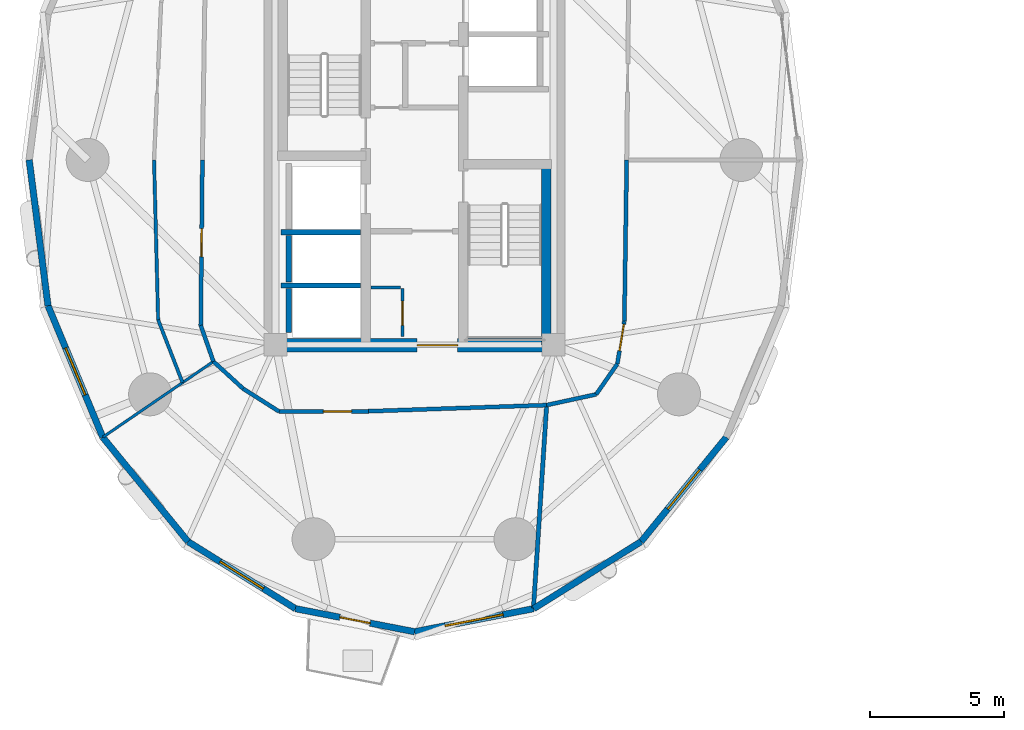
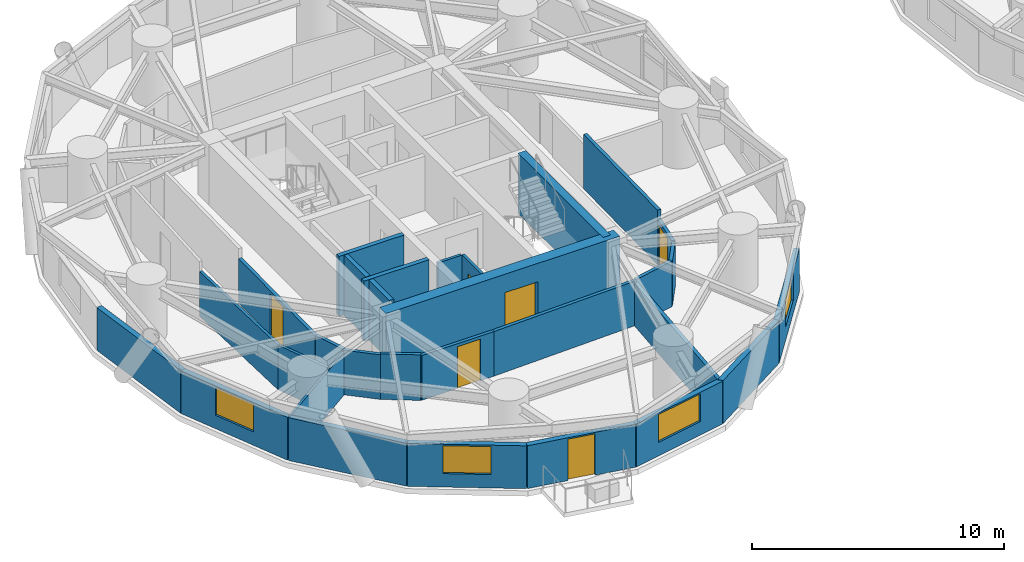
# One storey, part 7 of 15: 30 walls, 6 doors, 4 windows, 10 openings.
"""IFC4 building model written with IfcOpenShell, lengths in metres."""

from ifc_helpers import new_model, si_unit, direction, frame, frame_2d, origin, place, context, subcontext, project, spatial, rectangle, extrude, source, transform, mapped, material, layer, layer_set, type_object, element, fill, save


model = new_model("IFC4")

# Units and contexts
model_context = context("Model", 3, precision=1e-05, world=origin(), true_north=direction((0.0, 1.0)))
body_context = subcontext(model_context, "Body", "Model", "MODEL_VIEW")
ifc_project = project(units=[si_unit("LENGTHUNIT", "METRE"), si_unit("AREAUNIT", "SQUARE_METRE"), si_unit("VOLUMEUNIT", "CUBIC_METRE"), si_unit("PLANEANGLEUNIT", "RADIAN"), si_unit("MASSUNIT", "GRAM", prefix="KILO")], contexts=[model_context])

# Site, building, storey
site_placement = place(None, origin())
site = spatial("IfcSite", under=ifc_project, at=site_placement, CompositionType="ELEMENT")
building_placement = place(site_placement, origin())
building = spatial("IfcBuilding", under=site, at=building_placement, Name="Cununo Teusaquillo Station Towers", CompositionType="ELEMENT")
storey_placement = place(building_placement, frame((0.0, 0.0, 24.909912109375)))
storey = spatial("IfcBuildingStorey", under=building, at=storey_placement, Name="L06", CompositionType="ELEMENT", Elevation=24.909912109375)

# Walls
ifc_material_1 = material(Name="Concrete C50/60", Category="concrete")
ifc_layer_1 = layer(ifc_material_1, 0.199951171875)
ifc_layer_set_1 = layer_set([ifc_layer_1], Name="Concrete C50/60")
wall_type_1 = type_object("IfcWallType", Name="WL-CORE-200", PredefinedType="SHEAR", material=ifc_layer_set_1)
for number, where, z_axis, x_axis, name in (
    (1, (11.52001953125, 21.800048828125, 0.0), (0.0, 0.0, 1.0), (1.0, 0.0, 0.0), "L06 Tower A Firefighting Lift Shaft South Shear Wall"),
    (2, (11.52001953125, 19.824951171875, 0.0), (0.0, 0.0, 1.0), (1.0, 0.0, 0.0), "L06 Tower A High-Rise Lift Hoistway Divider Shear Wall"),
):
    element("IfcWall", number, at=place(storey_placement, frame(where, z_axis=z_axis, x_axis=x_axis)), inside=storey, type_object=wall_type_1, Name=name, PredefinedType="SHEAR", context=body_context, shape_type="SweptSolid", body=[
        extrude(rectangle(XDim=2.969970703125, YDim=0.199951171875, at=frame_2d((1.48486328125, 0.0))), origin(), (0.0, 0.0, 1.0), 2.91015625),
    ])
wall_1_placement = place(storey_placement, frame((11.820068359375, 19.945068359375, 0.0), z_axis=(0.0, 0.0, 1.0), x_axis=(0.0, 1.0, 0.0)))
element("IfcWall", 3, at=wall_1_placement, inside=storey, type_object=wall_type_1, Name="L06 Tower A High-Rise Lift 2 Shaft Rear Shear Wall", PredefinedType="SHEAR", context=body_context, shape_type="SweptSolid", body=[
    extrude(rectangle(XDim=1.73486328125, YDim=0.199951171875, at=frame_2d((0.867431640625, 0.0))), origin(), (0.0, 0.0, 1.0), 2.91015625),
])
wall_2_placement = place(storey_placement, frame((11.820068359375, 18.070068359375, 0.0), z_axis=(0.0, 0.0, 1.0), x_axis=(0.0, 1.0, 0.0)))
element("IfcWall", 4, at=wall_2_placement, inside=storey, type_object=wall_type_1, Name="L06 Tower A High-Rise Lift 1 Shaft Rear Shear Wall", PredefinedType="SHEAR", context=body_context, shape_type="SweptSolid", body=[
    extrude(rectangle(XDim=1.635009765625, YDim=0.199951171875, at=frame_2d((0.8173828125, 0.0))), origin(), (0.0, 0.0, 1.0), 2.91015625),
])
ifc_material_2 = material(Name="Concrete C50/60", Category="concrete")
ifc_layer_2 = layer(ifc_material_2, 0.35009765625)
ifc_layer_set_2 = layer_set([ifc_layer_2], Name="Concrete C50/60")
wall_type_2 = type_object("IfcWallType", Name="WL-CORE-350", PredefinedType="SHEAR", material=ifc_layer_set_2)
wall_3_placement = place(storey_placement, frame((21.405029296875, 17.60009765625, 0.0), z_axis=(0.0, 0.0, 1.0), x_axis=(0.0, 1.0, 0.0)))
element("IfcWall", 5, at=wall_3_placement, inside=storey, type_object=wall_type_2, Name="L06 Tower A Core Shear Wall ST2E", PredefinedType="SHEAR", context=body_context, shape_type="SweptSolid", body=[
    extrude(rectangle(XDim=6.744873046875, YDim=0.35009765625, at=frame_2d((3.37255859375, 0.0))), origin(), (0.0, 0.0, 1.0), 2.91015625),
])

# Wall, opening, door
ifc_material_3 = material(Name="Concrete C60/75", Category="concrete")
ifc_layer_3 = layer(ifc_material_3, 0.5)
ifc_layer_set_3 = layer_set([ifc_layer_3], Name="Concrete C60/75")
wall_type_3 = type_object("IfcWallType", Name="WL-CORE-500", PredefinedType="SHEAR", material=ifc_layer_set_3)
wall_4_placement = place(storey_placement, frame((11.14990234375, 17.60009765625, 0.0), z_axis=(0.0, 0.0, 1.0), x_axis=(1.0, 0.0, 0.0)))
wall_4 = element("IfcWall", 6, at=wall_4_placement, inside=storey, type_object=wall_type_3, Name="L06 Tower A Core Shear Wall S", PredefinedType="SHEAR", context=body_context, shape_type="SweptSolid", body=[
    extrude(rectangle(XDim=10.7001953125, YDim=0.5, at=frame_2d((5.35009765625, 0.0))), origin(), (0.0, 0.0, 1.0), 2.91015625),
])
shared_shape_1 = source(origin(), body_context, "Body", "SweptSolid", [
    extrude(rectangle(XDim=1.5, YDim=2.02001953125, at=frame_2d((0.75, 1.010009765625))), frame((0.0, 0.260009765625, 0.0), z_axis=(0.0, -1.0, 0.0), x_axis=(1.0, 0.0, 0.0)), (0.0, 0.0, 1.0), 0.52001953125),
])
opening_1_placement = place(wall_4_placement, frame((5.449951171875, 0.0, 0.0)))
opening_1 = element("IfcOpeningElement", 7, at=opening_1_placement, cuts=wall_4, Name="Opening D-LB1", PredefinedType="OPENING", context=body_context, shape_type="MappedRepresentation", body=[
    mapped(shared_shape_1, transform((0.0, 0.0, 0.0), x_axis=(1.0, 0.0, 0.0), y_axis=(0.0, 1.0, 0.0), z_axis=(0.0, 0.0, 1.0), scale=1.0)),
])
ifc_material_4 = material(Name="Galvanised fire-rated hollow steel door assembly", Category="steel")
door_type_1 = type_object("IfcDoorType", Name="DR-LOBBY-1500", OperationType="DOUBLE_DOOR_SINGLE_SWING", PredefinedType="DOOR", material=ifc_material_4)
shared_shape_2 = source(origin(), body_context, "Body", "SweptSolid", [
    extrude(rectangle(XDim=1.5, YDim=2.02001953125, at=frame_2d((0.75, 1.010009765625))), frame((0.0, 0.02490234375, 0.0), z_axis=(0.0, -1.0, 0.0), x_axis=(1.0, 0.0, 0.0)), (0.0, 0.0, 1.0), 0.050048828125),
])
door_1_placement = place(opening_1_placement, origin())
door_1 = element("IfcDoor", 8, at=door_1_placement, inside=storey, type_object=door_type_1, Name="L06 Tower A South Core Lift Lobby Door", OperationType="DOUBLE_DOOR_SINGLE_SWING", OverallHeight=2.02001953125, OverallWidth=1.5, PredefinedType="DOOR", context=body_context, shape_type="MappedRepresentation", body=[
    mapped(shared_shape_2, transform((0.0, 0.0, 0.0), x_axis=(1.0, 0.0, 0.0), y_axis=(0.0, 1.0, 0.0), z_axis=(0.0, 0.0, 1.0), scale=1.0)),
])
fill(opening_1, door_1)

# Wall
ifc_material_5 = material(Name="Precast concrete C40/50", Category="concrete")
ifc_layer_4 = layer(ifc_material_5, 0.239990234375)
ifc_layer_set_4 = layer_set([ifc_layer_4], Name="Precast concrete C40/50")
wall_type_4 = type_object("IfcWallType", Name="WL-EXT-240", PredefinedType="SOLIDWALL", material=ifc_layer_set_4)
wall_5_placement = place(storey_placement, frame((2.851318359375, 19.070556640625, 0.0), z_axis=(0.0, 0.0, 1.0), x_axis=(-0.128298189174, 0.991735637483, 0.0)))
element("IfcWall", 9, at=wall_5_placement, inside=storey, type_object=wall_type_4, Name="L06 Tower A Exterior Facade Wall C10", PredefinedType="SOLIDWALL", context=body_context, shape_type="SweptSolid", body=[
    extrude(rectangle(XDim=5.474609375, YDim=0.239990234375, at=frame_2d((2.7373046875, 0.0))), origin(), (0.0, 0.0, 1.0), 2.072998046875),
])

# Wall, opening, window
wall_6_placement = place(storey_placement, frame((4.889892578125, 14.172607421875, 0.0), z_axis=(0.0, 0.0, 1.0), x_axis=(-0.384255919668, 0.923226618009, 0.0)))
wall_6 = element("IfcWall", 10, at=wall_6_placement, inside=storey, type_object=wall_type_4, Name="L06 Tower A Exterior Facade Wall C11", PredefinedType="SOLIDWALL", context=body_context, shape_type="SweptSolid", body=[
    extrude(rectangle(XDim=5.30517578125, YDim=0.239990234375, at=frame_2d((2.652587890625, 0.0))), origin(), (0.0, 0.0, 1.0), 2.072998046875),
])
shared_shape_3 = source(origin(), body_context, "Body", "SweptSolid", [
    extrude(rectangle(XDim=1.89990234375, YDim=1.35009765625, at=frame_2d((0.949951171875, 0.675048828125))), frame((0.0, 0.1298828125, 0.0), z_axis=(0.0, -1.0, 0.0), x_axis=(1.0, 0.0, 0.0)), (0.0, 0.0, 1.0), 0.260009765625),
])
opening_2_placement = place(wall_6_placement, frame((1.702880859375, 0.0, 0.64990234375)))
opening_2 = element("IfcOpeningElement", 11, at=opening_2_placement, cuts=wall_6, Name="Opening WN-02", PredefinedType="OPENING", context=body_context, shape_type="MappedRepresentation", body=[
    mapped(shared_shape_3, transform((0.0, 0.0, 0.0), x_axis=(1.0, 0.0, 0.0), y_axis=(0.0, 1.0, 0.0), z_axis=(0.0, 0.0, 1.0), scale=1.0)),
])
ifc_material_6 = material(Name="Operable acoustic tinted low-E double glazing", Category="glass")
window_type_1 = type_object("IfcWindowType", Name="WIN-OPER-1900", PartitioningType="DOUBLE_PANEL_VERTICAL", PredefinedType="WINDOW", material=ifc_material_6)
shared_shape_4 = source(origin(), body_context, "Body", "SweptSolid", [
    extrude(rectangle(XDim=1.89990234375, YDim=1.35009765625, at=frame_2d((0.949951171875, 0.675048828125))), frame((0.0, 0.030029296875, 0.0), z_axis=(0.0, -1.0, 0.0), x_axis=(1.0, 0.0, 0.0)), (0.0, 0.0, 1.0), 0.06005859375),
])
window_1_placement = place(opening_2_placement, origin())
window_1 = element("IfcWindow", 12, at=window_1_placement, inside=storey, type_object=window_type_1, Name="L06 Tower A Facade Window C11", OverallHeight=1.35009765625, OverallWidth=1.89990234375, PartitioningType="DOUBLE_PANEL_VERTICAL", PredefinedType="WINDOW", context=body_context, shape_type="MappedRepresentation", body=[
    mapped(shared_shape_4, transform((0.0, 0.0, 0.0), x_axis=(1.0, 0.0, 0.0), y_axis=(0.0, 1.0, 0.0), z_axis=(0.0, 0.0, 1.0), scale=1.0)),
])
fill(opening_2, window_1)

# Wall
wall_7_placement = place(storey_placement, frame((8.064697265625, 10.28564453125, 0.0), z_axis=(0.0, 0.0, 1.0), x_axis=(-0.632588557044, 0.774488035735, 0.0)))
element("IfcWall", 13, at=wall_7_placement, inside=storey, type_object=wall_type_4, Name="L06 Tower A Exterior Facade Wall C12", PredefinedType="SOLIDWALL", context=body_context, shape_type="SweptSolid", body=[
    extrude(rectangle(XDim=5.018798828125, YDim=0.239990234375, at=frame_2d((2.50927734375, 0.0))), origin(), (0.0, 0.0, 1.0), 2.072998046875),
])

# Wall, opening, window
wall_8_placement = place(storey_placement, frame((12.065185546875, 7.789794921875, 0.0), z_axis=(0.0, 0.0, 1.0), x_axis=(-0.848422721916, 0.529319265601, 0.0)))
wall_8 = element("IfcWall", 14, at=wall_8_placement, inside=storey, type_object=wall_type_4, Name="L06 Tower A Exterior Facade Wall C13", PredefinedType="SOLIDWALL", context=body_context, shape_type="SweptSolid", body=[
    extrude(rectangle(XDim=4.715087890625, YDim=0.239990234375, at=frame_2d((2.357421875, 0.0))), origin(), (0.0, 0.0, 1.0), 2.072998046875),
])
opening_3_placement = place(wall_8_placement, frame((1.407958984375, 0.0, 0.64990234375)))
opening_3 = element("IfcOpeningElement", 15, at=opening_3_placement, cuts=wall_8, Name="Opening WN-02", PredefinedType="OPENING", context=body_context, shape_type="MappedRepresentation", body=[
    mapped(shared_shape_3, transform((0.0, 0.0, 0.0), x_axis=(1.0, 0.0, 0.0), y_axis=(0.0, 1.0, 0.0), z_axis=(0.0, 0.0, 1.0), scale=1.0)),
])
window_2_placement = place(opening_3_placement, origin())
window_2 = element("IfcWindow", 16, at=window_2_placement, inside=storey, type_object=window_type_1, Name="L06 Tower A Facade Window C13", OverallHeight=1.35009765625, OverallWidth=1.89990234375, PartitioningType="DOUBLE_PANEL_VERTICAL", PredefinedType="WINDOW", context=body_context, shape_type="MappedRepresentation", body=[
    mapped(shared_shape_4, transform((0.0, 0.0, 0.0), x_axis=(1.0, 0.0, 0.0), y_axis=(0.0, 1.0, 0.0), z_axis=(0.0, 0.0, 1.0), scale=1.0)),
])
fill(opening_3, window_2)

# Wall, opening, door
wall_9_placement = place(storey_placement, frame((16.5, 6.929931640625, 0.0), z_axis=(0.0, 0.0, 1.0), x_axis=(-0.981717351035, 0.190344536766, 0.0)))
wall_9 = element("IfcWall", 17, at=wall_9_placement, inside=storey, type_object=wall_type_4, Name="L06 Tower A Exterior Facade Wall C14", PredefinedType="SOLIDWALL", context=body_context, shape_type="SweptSolid", body=[
    extrude(rectangle(XDim=4.517333984375, YDim=0.239990234375, at=frame_2d((2.2587890625, 0.0))), origin(), (0.0, 0.0, 1.0), 2.072998046875),
])
shared_shape_5 = source(origin(), body_context, "Body", "SweptSolid", [
    extrude(rectangle(XDim=1.14990234375, YDim=2.0048828125, at=frame_2d((0.574951171875, 1.00244140625))), frame((0.0, 0.1298828125, 0.0), z_axis=(0.0, -1.0, 0.0), x_axis=(1.0, 0.0, 0.0)), (0.0, 0.0, 1.0), 0.260009765625),
])
opening_4_placement = place(wall_9_placement, frame((1.68408203125, 0.0, 0.0)))
opening_4 = element("IfcOpeningElement", 18, at=opening_4_placement, cuts=wall_9, Name="Opening ED-03", PredefinedType="OPENING", context=body_context, shape_type="MappedRepresentation", body=[
    mapped(shared_shape_5, transform((0.0, 0.0, 0.0), x_axis=(1.0, 0.0, 0.0), y_axis=(0.0, 1.0, 0.0), z_axis=(0.0, 0.0, 1.0), scale=1.0)),
])
ifc_material_7 = material(Name="Anodised dark bronze aluminium EN AW-6063-T6", Category="aluminium")
door_type_2 = type_object("IfcDoorType", Name="DR-EXT-BAL", OperationType="NOTDEFINED", PredefinedType="DOOR", material=ifc_material_7)
shared_shape_6 = source(origin(), body_context, "Body", "SweptSolid", [
    extrude(rectangle(XDim=1.14990234375, YDim=2.0048828125, at=frame_2d((0.574951171875, 1.00244140625))), frame((0.0, 0.02490234375, 0.0), z_axis=(0.0, -1.0, 0.0), x_axis=(1.0, 0.0, 0.0)), (0.0, 0.0, 1.0), 0.050048828125),
])
door_2_placement = place(opening_4_placement, origin())
door_2 = element("IfcDoor", 19, at=door_2_placement, inside=storey, type_object=door_type_2, Name="L06 Tower A Tree Balcony Door C14", OperationType="SINGLE_SWING_LEFT", OverallHeight=2.0048828125, OverallWidth=1.14990234375, PredefinedType="DOOR", context=body_context, shape_type="MappedRepresentation", body=[
    mapped(shared_shape_6, transform((0.0, 0.0, 0.0), x_axis=(1.0, 0.0, 0.0), y_axis=(0.0, 1.0, 0.0), z_axis=(0.0, 0.0, 1.0), scale=1.0)),
])
fill(opening_4, door_2)

# Wall, opening, window
wall_10_placement = place(storey_placement, frame((20.934814453125, 7.789794921875, 0.0), z_axis=(0.0, 0.0, 1.0), x_axis=(-0.981717351035, -0.190344536766, 0.0)))
wall_10 = element("IfcWall", 20, at=wall_10_placement, inside=storey, type_object=wall_type_4, Name="L06 Tower A Exterior Facade Wall C15", PredefinedType="SOLIDWALL", context=body_context, shape_type="SweptSolid", body=[
    extrude(rectangle(XDim=4.517333984375, YDim=0.239990234375, at=frame_2d((2.2587890625, 0.0))), origin(), (0.0, 0.0, 1.0), 2.072998046875),
])
shared_shape_7 = source(origin(), body_context, "Body", "SweptSolid", [
    extrude(rectangle(XDim=2.199951171875, YDim=1.35009765625, at=frame_2d((1.10009765625, 0.675048828125))), frame((0.0, 0.1298828125, 0.0), z_axis=(0.0, -1.0, 0.0), x_axis=(1.0, 0.0, 0.0)), (0.0, 0.0, 1.0), 0.260009765625),
])
opening_5_placement = place(wall_10_placement, frame((1.158935546875, 0.0, 0.64990234375)))
opening_5 = element("IfcOpeningElement", 21, at=opening_5_placement, cuts=wall_10, Name="Opening WN-01", PredefinedType="OPENING", context=body_context, shape_type="MappedRepresentation", body=[
    mapped(shared_shape_7, transform((0.0, 0.0, 0.0), x_axis=(1.0, 0.0, 0.0), y_axis=(0.0, 1.0, 0.0), z_axis=(0.0, 0.0, 1.0), scale=1.0)),
])
ifc_material_8 = material(Name="Ceramic-fritted dark low-E double glazing", Category="glass")
window_type_2 = type_object("IfcWindowType", Name="WIN-FRIT-2200", PartitioningType="DOUBLE_PANEL_VERTICAL", PredefinedType="WINDOW", material=ifc_material_8)
shared_shape_8 = source(origin(), body_context, "Body", "SweptSolid", [
    extrude(rectangle(XDim=2.199951171875, YDim=1.35009765625, at=frame_2d((1.10009765625, 0.675048828125))), frame((0.0, 0.030029296875, 0.0), z_axis=(0.0, -1.0, 0.0), x_axis=(1.0, 0.0, 0.0)), (0.0, 0.0, 1.0), 0.06005859375),
])
window_3_placement = place(opening_5_placement, origin())
window_3 = element("IfcWindow", 22, at=window_3_placement, inside=storey, type_object=window_type_2, Name="L06 Tower A Facade Window C15", OverallHeight=1.35009765625, OverallWidth=2.199951171875, PartitioningType="DOUBLE_PANEL_VERTICAL", PredefinedType="WINDOW", context=body_context, shape_type="MappedRepresentation", body=[
    mapped(shared_shape_8, transform((0.0, 0.0, 0.0), x_axis=(1.0, 0.0, 0.0), y_axis=(0.0, 1.0, 0.0), z_axis=(0.0, 0.0, 1.0), scale=1.0)),
])
fill(opening_5, window_3)

# Wall
wall_11_placement = place(storey_placement, frame((24.935302734375, 10.28564453125, 0.0), z_axis=(0.0, 0.0, 1.0), x_axis=(-0.848422721916, -0.529319265601, 0.0)))
element("IfcWall", 23, at=wall_11_placement, inside=storey, type_object=wall_type_4, Name="L06 Tower A Exterior Facade Wall C16", PredefinedType="SOLIDWALL", context=body_context, shape_type="SweptSolid", body=[
    extrude(rectangle(XDim=4.715087890625, YDim=0.239990234375, at=frame_2d((2.357421875, 0.0))), origin(), (0.0, 0.0, 1.0), 2.072998046875),
])

# Wall, opening, window
wall_12_placement = place(storey_placement, frame((28.110107421875, 14.172607421875, 0.0), z_axis=(0.0, 0.0, 1.0), x_axis=(-0.632588557044, -0.774488035735, 0.0)))
wall_12 = element("IfcWall", 24, at=wall_12_placement, inside=storey, type_object=wall_type_4, Name="L06 Tower A Exterior Facade Wall C17", PredefinedType="SOLIDWALL", context=body_context, shape_type="SweptSolid", body=[
    extrude(rectangle(XDim=5.018798828125, YDim=0.239990234375, at=frame_2d((2.50927734375, 0.0))), origin(), (0.0, 0.0, 1.0), 2.072998046875),
])
opening_6_placement = place(wall_12_placement, frame((1.55908203125, 0.0, 0.64990234375)))
opening_6 = element("IfcOpeningElement", 25, at=opening_6_placement, cuts=wall_12, Name="Opening WN-02", PredefinedType="OPENING", context=body_context, shape_type="MappedRepresentation", body=[
    mapped(shared_shape_3, transform((0.0, 0.0, 0.0), x_axis=(1.0, 0.0, 0.0), y_axis=(0.0, 1.0, 0.0), z_axis=(0.0, 0.0, 1.0), scale=1.0)),
])
window_4_placement = place(opening_6_placement, origin())
window_4 = element("IfcWindow", 26, at=window_4_placement, inside=storey, type_object=window_type_1, Name="L06 Tower A Facade Window C17", OverallHeight=1.35009765625, OverallWidth=1.89990234375, PartitioningType="DOUBLE_PANEL_VERTICAL", PredefinedType="WINDOW", context=body_context, shape_type="MappedRepresentation", body=[
    mapped(shared_shape_4, transform((0.0, 0.0, 0.0), x_axis=(1.0, 0.0, 0.0), y_axis=(0.0, 1.0, 0.0), z_axis=(0.0, 0.0, 1.0), scale=1.0)),
])
fill(opening_6, window_4)

# Wall
ifc_material_9 = material(Name="Fire-rated gypsum plasterboard partition assembly", Category="gypsum")
ifc_layer_5 = layer(ifc_material_9, 0.10009765625)
ifc_layer_set_5 = layer_set([ifc_layer_5], Name="Fire-rated gypsum plasterboard partition assembly")
wall_type_5 = type_object("IfcWallType", Name="WL-PART-100", PredefinedType="MOVABLE", material=ifc_layer_set_5)
wall_13_placement = place(storey_placement, frame((9.01025390625, 16.994384765625, 0.0), z_axis=(0.0, 0.0, 1.0), x_axis=(-0.825130244962, -0.564942544733, 0.0)))
element("IfcWall", 27, at=wall_13_placement, inside=storey, type_object=wall_type_5, Name="L06 Tower A Radial Suite Partition R04", PredefinedType="MOVABLE", context=body_context, shape_type="SweptSolid", body=[
    extrude(rectangle(XDim=4.97412109375, YDim=0.10009765625, at=frame_2d((2.487060546875, 0.0))), origin(), (0.0, 0.0, 1.0), 2.072998046875),
])

# Wall, opening, door
ifc_material_10 = material(Name="Fire-rated gypsum plasterboard partition assembly", Category="gypsum")
ifc_layer_6 = layer(ifc_material_10, 0.125)
ifc_layer_set_6 = layer_set([ifc_layer_6], Name="Fire-rated gypsum plasterboard partition assembly")
wall_type_6 = type_object("IfcWallType", Name="WL-PART-125", PredefinedType="PARTITIONING", material=ifc_layer_set_6)
wall_14_placement = place(storey_placement, frame((16.050048828125, 17.919921875, 0.0), z_axis=(0.0, 0.0, 1.0), x_axis=(0.0, 1.0, 0.0)))
wall_14 = element("IfcWall", 28, at=wall_14_placement, inside=storey, type_object=wall_type_6, Name="L06 Tower A South-West Compact Store East Wall", PredefinedType="PARTITIONING", context=body_context, shape_type="SweptSolid", body=[
    extrude(rectangle(XDim=1.800048828125, YDim=0.125, at=frame_2d((0.89990234375, 0.0))), origin(), (0.0, 0.0, 1.0), 2.635009765625),
])
shared_shape_9 = source(origin(), body_context, "Body", "SweptSolid", [
    extrude(rectangle(XDim=0.89990234375, YDim=2.0048828125, at=frame_2d((0.449951171875, 1.00244140625))), frame((0.0, 0.072509765625, 0.0), z_axis=(0.0, -1.0, 0.0), x_axis=(1.0, 0.0, 0.0)), (0.0, 0.0, 1.0), 0.14501953125),
])
opening_7_placement = place(wall_14_placement, frame((0.419921875, 0.0, 0.0)))
opening_7 = element("IfcOpeningElement", 29, at=opening_7_placement, cuts=wall_14, Name="Opening D-SR1", PredefinedType="OPENING", context=body_context, shape_type="MappedRepresentation", body=[
    mapped(shared_shape_9, transform((0.0, 0.0, 0.0), x_axis=(1.0, 0.0, 0.0), y_axis=(0.0, 1.0, 0.0), z_axis=(0.0, 0.0, 1.0), scale=1.0)),
])
ifc_material_11 = material(Name="Galvanised fire-rated hollow steel door assembly", Category="steel")
door_type_3 = type_object("IfcDoorType", Name="DR-STORE-900", OperationType="NOTDEFINED", PredefinedType="DOOR", material=ifc_material_11)
shared_shape_10 = source(origin(), body_context, "Body", "SweptSolid", [
    extrude(rectangle(XDim=0.89990234375, YDim=2.0048828125, at=frame_2d((0.449951171875, 1.00244140625))), frame((0.0, 0.02490234375, 0.0), z_axis=(0.0, -1.0, 0.0), x_axis=(1.0, 0.0, 0.0)), (0.0, 0.0, 1.0), 0.050048828125),
])
door_3_placement = place(opening_7_placement, origin())
door_3 = element("IfcDoor", 30, at=door_3_placement, inside=storey, type_object=door_type_3, Name="L06 Tower A Core Electrical & Comms Store Door", OperationType="SINGLE_SWING_RIGHT", OverallHeight=2.0048828125, OverallWidth=0.89990234375, PredefinedType="DOOR", context=body_context, shape_type="MappedRepresentation", body=[
    mapped(shared_shape_10, transform((0.0, 0.0, 0.0), x_axis=(1.0, 0.0, 0.0), y_axis=(0.0, 1.0, 0.0), z_axis=(0.0, 0.0, 1.0), scale=1.0)),
])
fill(opening_7, door_3)

# Walls
wall_15_placement = place(storey_placement, frame((14.8798828125, 19.75, 0.0), z_axis=(0.0, 0.0, 1.0), x_axis=(1.0, 0.0, 0.0)))
element("IfcWall", 31, at=wall_15_placement, inside=storey, type_object=wall_type_6, Name="L06 Tower A South-West Compact Store North Wall", PredefinedType="PARTITIONING", context=body_context, shape_type="SweptSolid", body=[
    extrude(rectangle(XDim=1.10009765625, YDim=0.125, at=frame_2d((0.550048828125, 0.0))), origin(), (0.0, 0.0, 1.0), 2.635009765625),
])
wall_16_placement = place(storey_placement, frame((6.79931640625, 24.5, 0.0), z_axis=(0.0, 0.0, 1.0), x_axis=(0.02553283421, -0.999673984045, 0.0)))
element("IfcWall", 32, at=wall_16_placement, inside=storey, type_object=wall_type_6, Name="L06 Tower A Press & Broadcast Briefing Hall Concentric Partition Wall C10", PredefinedType="PARTITIONING", context=body_context, shape_type="SweptSolid", body=[
    extrude(rectangle(XDim=5.95703125, YDim=0.125, at=frame_2d((2.978515625, 0.0))), origin(), (0.0, 0.0, 1.0), 2.1591796875),
])
wall_17_placement = place(storey_placement, frame((6.951416015625, 18.544921875, 0.0), z_axis=(0.0, 0.0, 1.0), x_axis=(0.362681113276, -0.931913306093, 0.0)))
element("IfcWall", 33, at=wall_17_placement, inside=storey, type_object=wall_type_6, Name="L06 Tower A Press & Broadcast Briefing Hall Concentric Partition Wall C11", PredefinedType="PARTITIONING", context=body_context, shape_type="SweptSolid", body=[
    extrude(rectangle(XDim=2.508056640625, YDim=0.125, at=frame_2d((1.25390625, 0.0))), origin(), (0.0, 0.0, 1.0), 2.1591796875),
])

# Wall, opening, door
ifc_material_12 = material(Name="Fire-rated gypsum plasterboard partition assembly", Category="gypsum")
ifc_layer_7 = layer(ifc_material_12, 0.14990234375)
ifc_layer_set_7 = layer_set([ifc_layer_7], Name="Fire-rated gypsum plasterboard partition assembly")
wall_type_7 = type_object("IfcWallType", Name="WL-PART-150", PredefinedType="PARTITIONING", material=ifc_layer_set_7)
wall_18_placement = place(storey_placement, frame((8.60009765625, 24.5, 0.0), z_axis=(0.0, 0.0, 1.0), x_axis=(-0.010023665349, -0.999949761805, 0.0)))
wall_18 = element("IfcWall", 34, at=wall_18_placement, inside=storey, type_object=wall_type_7, Name="L06 Tower A Corridor Ring Wall C10", PredefinedType="PARTITIONING", context=body_context, shape_type="SweptSolid", body=[
    extrude(rectangle(XDim=6.162109375, YDim=0.14990234375, at=frame_2d((3.0810546875, 0.0))), origin(), (0.0, 0.0, 1.0), 2.1591796875),
])
shared_shape_11 = source(origin(), body_context, "Body", "SweptSolid", [
    extrude(rectangle(XDim=1.050048828125, YDim=2.014892578125, at=frame_2d((0.52490234375, 1.00732421875))), frame((0.0, 0.0849609375, 0.0), z_axis=(0.0, -1.0, 0.0), x_axis=(1.0, 0.0, 0.0)), (0.0, 0.0, 1.0), 0.169921875),
])
opening_8_placement = place(wall_18_placement, frame((2.55615234375, 0.0, 0.0)))
opening_8 = element("IfcOpeningElement", 35, at=opening_8_placement, cuts=wall_18, Name="Opening D-SU1", PredefinedType="OPENING", context=body_context, shape_type="MappedRepresentation", body=[
    mapped(shared_shape_11, transform((0.0, 0.0, 0.0), x_axis=(1.0, 0.0, 0.0), y_axis=(0.0, 1.0, 0.0), z_axis=(0.0, 0.0, 1.0), scale=1.0)),
])
ifc_material_13 = material(Name="Acoustic solid-core hardwood leaf assembly", Category="wood")
door_type_4 = type_object("IfcDoorType", Name="DR-SUITE-1050", OperationType="NOTDEFINED", PredefinedType="DOOR", material=ifc_material_13)
shared_shape_12 = source(origin(), body_context, "Body", "SweptSolid", [
    extrude(rectangle(XDim=1.050048828125, YDim=2.014892578125, at=frame_2d((0.52490234375, 1.00732421875))), frame((0.0, 0.02490234375, 0.0), z_axis=(0.0, -1.0, 0.0), x_axis=(1.0, 0.0, 0.0)), (0.0, 0.0, 1.0), 0.050048828125),
])
door_4_placement = place(opening_8_placement, origin())
door_4 = element("IfcDoor", 36, at=door_4_placement, inside=storey, type_object=door_type_4, Name="L06 Tower A Press & Broadcast Briefing Hall Entrance Door", OperationType="SINGLE_SWING_RIGHT", OverallHeight=2.014892578125, OverallWidth=1.050048828125, PredefinedType="DOOR", context=body_context, shape_type="MappedRepresentation", body=[
    mapped(shared_shape_12, transform((0.0, 0.0, 0.0), x_axis=(1.0, 0.0, 0.0), y_axis=(0.0, 1.0, 0.0), z_axis=(0.0, 0.0, 1.0), scale=1.0)),
])
fill(opening_8, door_4)

# Walls
wall_19_placement = place(storey_placement, frame((8.538330078125, 18.338134765625, 0.0), z_axis=(0.0, 0.0, 1.0), x_axis=(0.331358150167, -0.94350504838, 0.0)))
element("IfcWall", 37, at=wall_19_placement, inside=storey, type_object=wall_type_7, Name="L06 Tower A Corridor Ring Wall C11", PredefinedType="PARTITIONING", context=body_context, shape_type="SweptSolid", body=[
    extrude(rectangle(XDim=1.42431640625, YDim=0.14990234375, at=frame_2d((0.712158203125, 0.0))), origin(), (0.0, 0.0, 1.0), 2.205078125),
])
wall_20_placement = place(storey_placement, frame((9.01025390625, 16.994384765625, 0.0), z_axis=(0.0, 0.0, 1.0), x_axis=(0.737701798986, -0.67512669609, 0.0)))
element("IfcWall", 38, at=wall_20_placement, inside=storey, type_object=wall_type_7, Name="L06 Tower A Corridor Ring Wall C12", PredefinedType="PARTITIONING", context=body_context, shape_type="SweptSolid", body=[
    extrude(rectangle(XDim=1.498291015625, YDim=0.14990234375, at=frame_2d((0.7490234375, 0.0))), origin(), (0.0, 0.0, 1.0), 2.1591796875),
])
wall_21_placement = place(storey_placement, frame((10.115478515625, 15.98291015625, 0.0), z_axis=(0.0, 0.0, 1.0), x_axis=(0.843995849351, -0.536349705209, 0.0)))
element("IfcWall", 39, at=wall_21_placement, inside=storey, type_object=wall_type_7, Name="L06 Tower A Corridor Ring Wall C13", PredefinedType="PARTITIONING", context=body_context, shape_type="SweptSolid", body=[
    extrude(rectangle(XDim=1.5927734375, YDim=0.14990234375, at=frame_2d((0.79638671875, 0.0))), origin(), (0.0, 0.0, 1.0), 2.205078125),
])

# Wall, opening, door
wall_22_placement = place(storey_placement, frame((11.459716796875, 15.128662109375, 0.0), z_axis=(0.0, 0.0, 1.0), x_axis=(0.999993513287, 0.003601858435, 0.0)))
wall_22 = element("IfcWall", 40, at=wall_22_placement, inside=storey, type_object=wall_type_7, Name="L06 Tower A Corridor Ring Wall C14", PredefinedType="PARTITIONING", context=body_context, shape_type="SweptSolid", body=[
    extrude(rectangle(XDim=3.3212890625, YDim=0.14990234375, at=frame_2d((1.66064453125, 0.0))), origin(), (0.0, 0.0, 1.0), 2.1591796875),
])
opening_9_placement = place(wall_22_placement, frame((1.643310546875, 0.0, 0.0)))
opening_9 = element("IfcOpeningElement", 41, at=opening_9_placement, cuts=wall_22, Name="Opening D-SU1", PredefinedType="OPENING", context=body_context, shape_type="MappedRepresentation", body=[
    mapped(shared_shape_11, transform((0.0, 0.0, 0.0), x_axis=(1.0, 0.0, 0.0), y_axis=(0.0, 1.0, 0.0), z_axis=(0.0, 0.0, 1.0), scale=1.0)),
])
door_5_placement = place(opening_9_placement, origin())
door_5 = element("IfcDoor", 42, at=door_5_placement, inside=storey, type_object=door_type_4, Name="L06 Tower A Hospitality Pre-Function Lounge Entrance Door", OperationType="SINGLE_SWING_RIGHT", OverallHeight=2.014892578125, OverallWidth=1.050048828125, PredefinedType="DOOR", context=body_context, shape_type="MappedRepresentation", body=[
    mapped(shared_shape_12, transform((0.0, 0.0, 0.0), x_axis=(1.0, 0.0, 0.0), y_axis=(0.0, 1.0, 0.0), z_axis=(0.0, 0.0, 1.0), scale=1.0)),
])
fill(opening_9, door_5)

# Walls
wall_23_placement = place(storey_placement, frame((14.781005859375, 15.140625, 0.0), z_axis=(0.0, 0.0, 1.0), x_axis=(0.999407918707, 0.034406569513, 0.0)))
element("IfcWall", 43, at=wall_23_placement, inside=storey, type_object=wall_type_7, Name="L06 Tower A Corridor Ring Wall C15", PredefinedType="PARTITIONING", context=body_context, shape_type="SweptSolid", body=[
    extrude(rectangle(XDim=6.6416015625, YDim=0.14990234375, at=frame_2d((3.32080078125, 0.0))), origin(), (0.0, 0.0, 1.0), 2.1591796875),
])
wall_24_placement = place(storey_placement, frame((21.418701171875, 15.369140625, 0.0), z_axis=(0.0, 0.0, 1.0), x_axis=(0.977192701953, 0.212354475464, 0.0)))
element("IfcWall", 44, at=wall_24_placement, inside=storey, type_object=wall_type_7, Name="L06 Tower A Corridor Ring Wall C16", PredefinedType="PARTITIONING", context=body_context, shape_type="SweptSolid", body=[
    extrude(rectangle(XDim=1.8876953125, YDim=0.14990234375, at=frame_2d((0.94384765625, 0.0))), origin(), (0.0, 0.0, 1.0), 2.205078125),
])
wall_25_placement = place(storey_placement, frame((23.263427734375, 15.77001953125, 0.0), z_axis=(0.0, 0.0, 1.0), x_axis=(0.570743456919, 0.821128434768, 0.0)))
element("IfcWall", 45, at=wall_25_placement, inside=storey, type_object=wall_type_7, Name="L06 Tower A Corridor Ring Wall C17", PredefinedType="PARTITIONING", context=body_context, shape_type="SweptSolid", body=[
    extrude(rectangle(XDim=1.381591796875, YDim=0.14990234375, at=frame_2d((0.69091796875, 0.0))), origin(), (0.0, 0.0, 1.0), 2.1591796875),
])

# Wall, opening, door
wall_26_placement = place(storey_placement, frame((24.052001953125, 16.904541015625, 0.0), z_axis=(0.0, 0.0, 1.0), x_axis=(0.162091534225, 0.986775726562, 0.0)))
wall_26 = element("IfcWall", 46, at=wall_26_placement, inside=storey, type_object=wall_type_7, Name="L06 Tower A Corridor Ring Wall C18", PredefinedType="PARTITIONING", context=body_context, shape_type="SweptSolid", body=[
    extrude(rectangle(XDim=1.613037109375, YDim=0.14990234375, at=frame_2d((0.806640625, 0.0))), origin(), (0.0, 0.0, 1.0), 2.205078125),
])
shared_shape_13 = source(origin(), body_context, "Body", "SweptSolid", [
    extrude(rectangle(XDim=1.0, YDim=2.014892578125, at=frame_2d((0.5, 1.00732421875))), frame((0.0, 0.0849609375, 0.0), z_axis=(0.0, -1.0, 0.0), x_axis=(1.0, 0.0, 0.0)), (0.0, 0.0, 1.0), 0.169921875),
])
opening_10_placement = place(wall_26_placement, frame((0.492919921875, 0.0, 0.0)))
opening_10 = element("IfcOpeningElement", 47, at=opening_10_placement, cuts=wall_26, Name="Opening D-AC1", PredefinedType="OPENING", context=body_context, shape_type="MappedRepresentation", body=[
    mapped(shared_shape_13, transform((0.0, 0.0, 0.0), x_axis=(1.0, 0.0, 0.0), y_axis=(0.0, 1.0, 0.0), z_axis=(0.0, 0.0, 1.0), scale=1.0)),
])
ifc_material_14 = material(Name="Acoustic solid-core hardwood leaf assembly", Category="wood")
door_type_5 = type_object("IfcDoorType", Name="DR-ACC-1000", OperationType="NOTDEFINED", PredefinedType="DOOR", material=ifc_material_14)
shared_shape_14 = source(origin(), body_context, "Body", "SweptSolid", [
    extrude(rectangle(XDim=1.0, YDim=2.014892578125, at=frame_2d((0.5, 1.00732421875))), frame((0.0, 0.02490234375, 0.0), z_axis=(0.0, -1.0, 0.0), x_axis=(1.0, 0.0, 0.0)), (0.0, 0.0, 1.0), 0.050048828125),
])
door_6_placement = place(opening_10_placement, origin())
door_6 = element("IfcDoor", 48, at=door_6_placement, inside=storey, type_object=door_type_5, Name="L06 Tower A Public Accessible Restroom WC Entrance Door", OperationType="SINGLE_SWING_LEFT", OverallHeight=2.014892578125, OverallWidth=1.0, PredefinedType="DOOR", context=body_context, shape_type="MappedRepresentation", body=[
    mapped(shared_shape_14, transform((0.0, 0.0, 0.0), x_axis=(1.0, 0.0, 0.0), y_axis=(0.0, 1.0, 0.0), z_axis=(0.0, 0.0, 1.0), scale=1.0)),
])
fill(opening_10, door_6)

# Walls
wall_27_placement = place(storey_placement, frame((24.3134765625, 18.496337890625, 0.0), z_axis=(0.0, 0.0, 1.0), x_axis=(0.014394019188, 0.999896400739, 0.0)))
element("IfcWall", 49, at=wall_27_placement, inside=storey, type_object=wall_type_7, Name="L06 Tower A Corridor Ring Wall C19", PredefinedType="PARTITIONING", context=body_context, shape_type="SweptSolid", body=[
    extrude(rectangle(XDim=6.00439453125, YDim=0.14990234375, at=frame_2d((3.002197265625, 0.0))), origin(), (0.0, 0.0, 1.0), 2.635009765625),
])
ifc_material_15 = material(Name="Fire-rated gypsum plasterboard partition assembly", Category="gypsum")
ifc_layer_8 = layer(ifc_material_15, 0.159912109375)
ifc_layer_set_8 = layer_set([ifc_layer_8], Name="Fire-rated gypsum plasterboard partition assembly")
wall_type_8 = type_object("IfcWallType", Name="WL-PART-160", PredefinedType="PARTITIONING", material=ifc_layer_set_8)
wall_28_placement = place(storey_placement, frame((21.418701171875, 15.369140625, 0.0), z_axis=(0.0, 0.0, 1.0), x_axis=(-0.064709408161, -0.997904149954, 0.0)))
element("IfcWall", 50, at=wall_28_placement, inside=storey, type_object=wall_type_8, Name="L06 Tower A Radial Suite Partition R05", PredefinedType="PARTITIONING", context=body_context, shape_type="SweptSolid", body=[
    extrude(rectangle(XDim=7.575927734375, YDim=0.159912109375, at=frame_2d((3.7880859375, 0.0))), origin(), (0.0, 0.0, 1.0), 2.072998046875),
])

save(model, "model.ifc")
